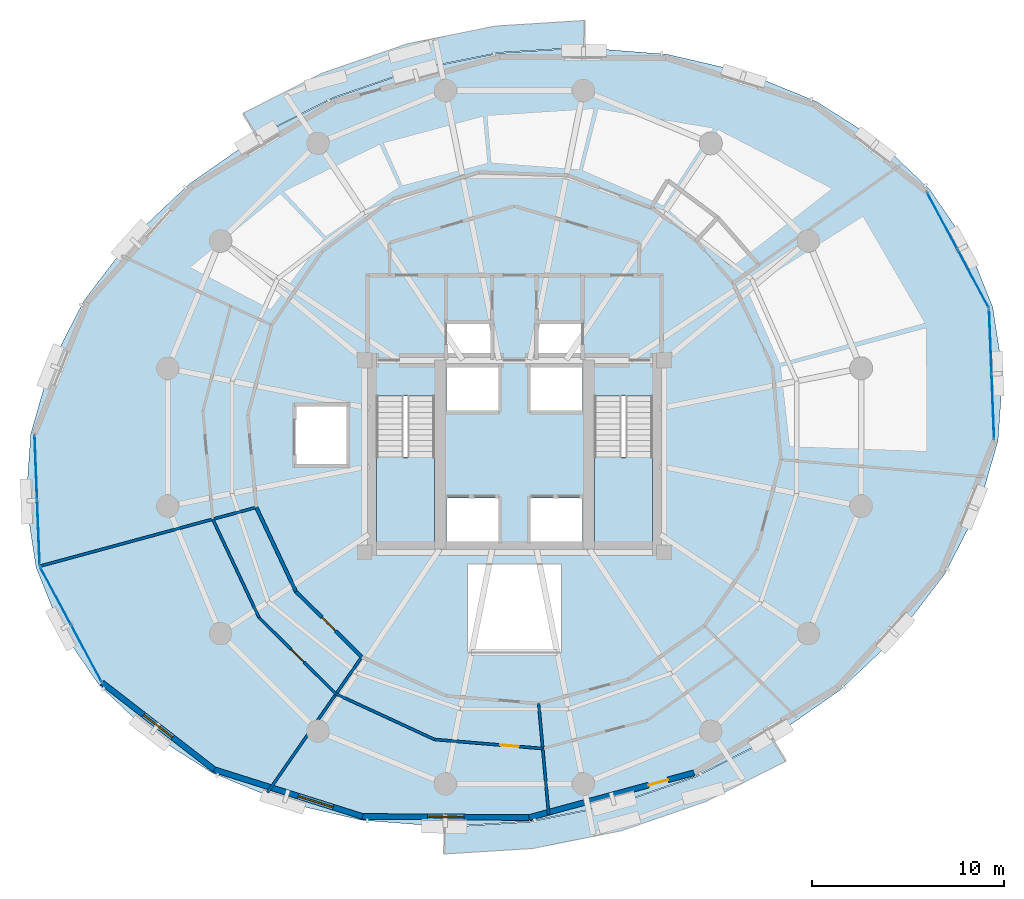
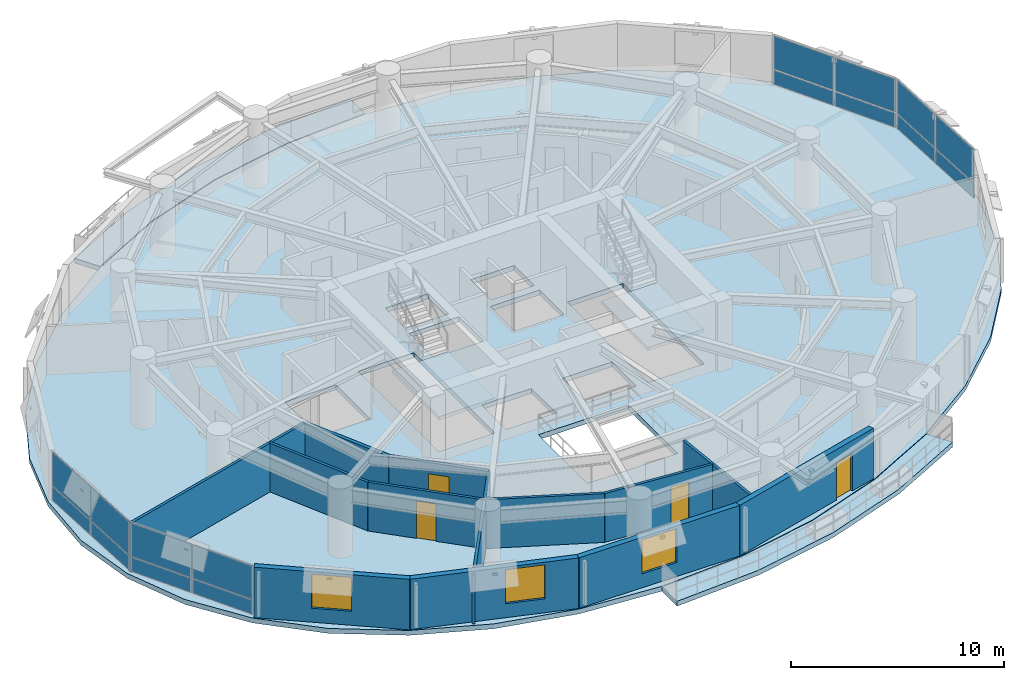
# One storey, part 9 of 15: 16 plates, 13 walls, 5 slabs, 4 doors, 3 windows, 7 openings, 6 elements without a shape of their own.
"""IFC4 building model written with IfcOpenShell, lengths in metres."""

from ifc_helpers import new_model, si_unit, direction, frame, frame_2d, origin, origin_2d, place, context, subcontext, project, spatial, polyline, rectangle, outline, extrude, material, layer, layer_set, type_object, element, fill, aggregate, save


model = new_model("IFC4")

# Units and contexts
model_context = context("Model", 3, precision=1e-05, world=origin(), true_north=direction((0.0, 1.0)))
body_context = subcontext(model_context, "Body", "Model", "MODEL_VIEW")
ifc_project = project(units=[si_unit("LENGTHUNIT", "METRE"), si_unit("AREAUNIT", "SQUARE_METRE"), si_unit("VOLUMEUNIT", "CUBIC_METRE"), si_unit("PLANEANGLEUNIT", "RADIAN"), si_unit("MASSUNIT", "GRAM", prefix="KILO"), si_unit("THERMODYNAMICTEMPERATUREUNIT", "KELVIN"), si_unit("POWERUNIT", "WATT")], contexts=[model_context])

# Site, building, storey
site_placement = place(None, origin())
site = spatial("IfcSite", under=ifc_project, at=site_placement, CompositionType="ELEMENT")
building_placement = place(site_placement, origin())
building = spatial("IfcBuilding", under=site, at=building_placement, Name="Ocrelia Relay Tower", CompositionType="ELEMENT")
storey_placement = place(building_placement, frame((0.0, 0.0, 97.800048828125)))
storey = spatial("IfcBuildingStorey", under=building, at=storey_placement, Name="L22", CompositionType="ELEMENT", Elevation=97.800048828125)

# Curtain wall, plates
ifc_material_1 = material(Name="Aluminium and solar-control low-E glass", Category="aluminium")
ifc_layer_1 = layer(ifc_material_1, 0.179931640625, Name="Aluminium and solar-control low-E glass")
ifc_layer_set_1 = layer_set([ifc_layer_1], Name="Aluminium and solar-control low-E glass")
curtain_wall_type = type_object("IfcCurtainWallType", Name="CW-SYS-Z2-SWIT", PredefinedType="NOTDEFINED", material=ifc_layer_set_1)
curtain_wall_1_placement = place(storey_placement, origin())
curtain_wall_1 = element("IfcCurtainWall", 1, at=curtain_wall_1_placement, inside=storey, type_object=curtain_wall_type, Name="L22 Elliptical Tower Curtain Wall Bay 01", PredefinedType="NOTDEFINED")
ifc_material_2 = material(Name="Clear double-glazed low-E glass", Category="glass")
ifc_layer_2 = layer(ifc_material_2, 0.031982421875, Name="Clear double-glazed low-E glass")
ifc_layer_set_2 = layer_set([ifc_layer_2], Name="Clear double-glazed low-E glass")
plate_type = type_object("IfcPlateType", Name="CW-SYS-Z2-SWIT-PNL", PredefinedType="CURTAIN_PANEL", material=ifc_layer_set_2)
plate_1_placement = place(storey_placement, frame((57.88427734375, 34.243408203125, 0.059814453125), z_axis=(0.0, 0.0, 1.0), x_axis=(-0.472070936584, 0.881560565607, 0.0)))
plate_1 = element("IfcPlate", 2, at=plate_1_placement, type_object=plate_type, Name="CW-Z2 panel 1.1", PredefinedType="CURTAIN_PANEL", context=body_context, shape_type="SweptSolid", body=[
    extrude(rectangle(XDim=3.33447265625, YDim=0.031982421875, at=origin_2d()), origin(), (0.0, 0.0, 1.0), 0.81005859375),
])
plate_2_placement = place(storey_placement, frame((57.88427734375, 34.243408203125, 0.93017578125), z_axis=(0.0, 0.0, 1.0), x_axis=(-0.472070936584, 0.881560565607, 0.0)))
plate_2 = element("IfcPlate", 3, at=plate_2_placement, type_object=plate_type, Name="CW-Z2 panel 1.2", PredefinedType="CURTAIN_PANEL", context=body_context, shape_type="SweptSolid", body=[
    extrude(rectangle(XDim=3.33447265625, YDim=0.031982421875, at=origin_2d()), origin(), (0.0, 0.0, 1.0), 1.909912109375),
])
plate_3_placement = place(storey_placement, frame((56.277099609375, 37.244873046875, 0.059814453125), z_axis=(0.0, 0.0, 1.0), x_axis=(-0.472070936584, 0.881560565607, 0.0)))
plate_3 = element("IfcPlate", 4, at=plate_3_placement, type_object=plate_type, Name="CW-Z2 panel 2.1", PredefinedType="CURTAIN_PANEL", context=body_context, shape_type="SweptSolid", body=[
    extrude(rectangle(XDim=3.33447265625, YDim=0.031982421875, at=origin_2d()), origin(), (0.0, 0.0, 1.0), 0.81005859375),
])
plate_4_placement = place(storey_placement, frame((56.277099609375, 37.244873046875, 0.93017578125), z_axis=(0.0, 0.0, 1.0), x_axis=(-0.472070936584, 0.881560565607, 0.0)))
plate_4 = element("IfcPlate", 5, at=plate_4_placement, type_object=plate_type, Name="CW-Z2 panel 2.2", PredefinedType="CURTAIN_PANEL", context=body_context, shape_type="SweptSolid", body=[
    extrude(rectangle(XDim=3.33447265625, YDim=0.031982421875, at=origin_2d()), origin(), (0.0, 0.0, 1.0), 1.909912109375),
])
aggregate(curtain_wall_1, [plate_1, plate_2, plate_3, plate_4])

curtain_wall_2_placement = place(storey_placement, origin())
curtain_wall_2 = element("IfcCurtainWall", 6, at=curtain_wall_2_placement, inside=storey, type_object=curtain_wall_type, Name="L22 Elliptical Tower Curtain Wall Bay 09", PredefinedType="NOTDEFINED")
plate_5_placement = place(storey_placement, frame((9.095458984375, 24.42578125, 0.059814453125), z_axis=(0.0, 0.0, 1.0), x_axis=(0.038929993842, -0.999241940463, 0.0)))
plate_5 = element("IfcPlate", 7, at=plate_5_placement, type_object=plate_type, Name="CW-Z2 panel 1.1", PredefinedType="CURTAIN_PANEL", context=body_context, shape_type="SweptSolid", body=[
    extrude(rectangle(XDim=3.33447265625, YDim=0.031982421875, at=origin_2d()), origin(), (0.0, 0.0, 1.0), 0.81005859375),
])
plate_6_placement = place(storey_placement, frame((9.095458984375, 24.42578125, 0.93017578125), z_axis=(0.0, 0.0, 1.0), x_axis=(0.038929993842, -0.999241940463, 0.0)))
plate_6 = element("IfcPlate", 8, at=plate_6_placement, type_object=plate_type, Name="CW-Z2 panel 1.2", PredefinedType="CURTAIN_PANEL", context=body_context, shape_type="SweptSolid", body=[
    extrude(rectangle(XDim=3.33447265625, YDim=0.031982421875, at=origin_2d()), origin(), (0.0, 0.0, 1.0), 1.909912109375),
])
plate_7_placement = place(storey_placement, frame((9.22802734375, 21.02392578125, 0.059814453125), z_axis=(0.0, 0.0, 1.0), x_axis=(0.038929993842, -0.999241940463, 0.0)))
plate_7 = element("IfcPlate", 9, at=plate_7_placement, type_object=plate_type, Name="CW-Z2 panel 2.1", PredefinedType="CURTAIN_PANEL", context=body_context, shape_type="SweptSolid", body=[
    extrude(rectangle(XDim=3.33447265625, YDim=0.031982421875, at=origin_2d()), origin(), (0.0, 0.0, 1.0), 0.81005859375),
])
plate_8_placement = place(storey_placement, frame((9.22802734375, 21.02392578125, 0.93017578125), z_axis=(0.0, 0.0, 1.0), x_axis=(0.038929993842, -0.999241940463, 0.0)))
plate_8 = element("IfcPlate", 10, at=plate_8_placement, type_object=plate_type, Name="CW-Z2 panel 2.2", PredefinedType="CURTAIN_PANEL", context=body_context, shape_type="SweptSolid", body=[
    extrude(rectangle(XDim=3.33447265625, YDim=0.031982421875, at=origin_2d()), origin(), (0.0, 0.0, 1.0), 1.909912109375),
])
aggregate(curtain_wall_2, [plate_5, plate_6, plate_7, plate_8])

curtain_wall_3_placement = place(storey_placement, origin())
curtain_wall_3 = element("IfcCurtainWall", 11, at=curtain_wall_3_placement, inside=storey, type_object=curtain_wall_type, Name="L22 Elliptical Tower Curtain Wall Bay 10", PredefinedType="NOTDEFINED")
plate_9_placement = place(storey_placement, frame((10.11572265625, 17.756591796875, 0.059814453125), z_axis=(0.0, 0.0, 1.0), x_axis=(0.472070936584, -0.881560565607, 0.0)))
plate_9 = element("IfcPlate", 12, at=plate_9_placement, type_object=plate_type, Name="CW-Z2 panel 1.1", PredefinedType="CURTAIN_PANEL", context=body_context, shape_type="SweptSolid", body=[
    extrude(rectangle(XDim=3.33447265625, YDim=0.031982421875, at=origin_2d()), origin(), (0.0, 0.0, 1.0), 0.81005859375),
])
plate_10_placement = place(storey_placement, frame((10.11572265625, 17.756591796875, 0.93017578125), z_axis=(0.0, 0.0, 1.0), x_axis=(0.472070936584, -0.881560565607, 0.0)))
plate_10 = element("IfcPlate", 13, at=plate_10_placement, type_object=plate_type, Name="CW-Z2 panel 1.2", PredefinedType="CURTAIN_PANEL", context=body_context, shape_type="SweptSolid", body=[
    extrude(rectangle(XDim=3.33447265625, YDim=0.031982421875, at=origin_2d()), origin(), (0.0, 0.0, 1.0), 1.909912109375),
])
plate_11_placement = place(storey_placement, frame((11.722900390625, 14.755126953125, 0.059814453125), z_axis=(0.0, 0.0, 1.0), x_axis=(0.472070936584, -0.881560565607, 0.0)))
plate_11 = element("IfcPlate", 14, at=plate_11_placement, type_object=plate_type, Name="CW-Z2 panel 2.1", PredefinedType="CURTAIN_PANEL", context=body_context, shape_type="SweptSolid", body=[
    extrude(rectangle(XDim=3.33447265625, YDim=0.031982421875, at=origin_2d()), origin(), (0.0, 0.0, 1.0), 0.81005859375),
])
plate_12_placement = place(storey_placement, frame((11.722900390625, 14.755126953125, 0.93017578125), z_axis=(0.0, 0.0, 1.0), x_axis=(0.472070936584, -0.881560565607, 0.0)))
plate_12 = element("IfcPlate", 15, at=plate_12_placement, type_object=plate_type, Name="CW-Z2 panel 2.2", PredefinedType="CURTAIN_PANEL", context=body_context, shape_type="SweptSolid", body=[
    extrude(rectangle(XDim=3.33447265625, YDim=0.031982421875, at=origin_2d()), origin(), (0.0, 0.0, 1.0), 1.909912109375),
])
aggregate(curtain_wall_3, [plate_9, plate_10, plate_11, plate_12])

curtain_wall_4_placement = place(storey_placement, origin())
curtain_wall_4 = element("IfcCurtainWall", 16, at=curtain_wall_4_placement, inside=storey, type_object=curtain_wall_type, Name="L22 Elliptical Tower Curtain Wall Bay 18", PredefinedType="NOTDEFINED")
plate_13_placement = place(storey_placement, frame((58.904541015625, 27.57421875, 0.059814453125), z_axis=(0.0, 0.0, 1.0), x_axis=(-0.038929993842, 0.999241940463, 0.0)))
plate_13 = element("IfcPlate", 17, at=plate_13_placement, type_object=plate_type, Name="CW-Z2 panel 1.1", PredefinedType="CURTAIN_PANEL", context=body_context, shape_type="SweptSolid", body=[
    extrude(rectangle(XDim=3.33447265625, YDim=0.031982421875, at=origin_2d()), origin(), (0.0, 0.0, 1.0), 0.81005859375),
])
plate_14_placement = place(storey_placement, frame((58.904541015625, 27.57421875, 0.93017578125), z_axis=(0.0, 0.0, 1.0), x_axis=(-0.038929993842, 0.999241940463, 0.0)))
plate_14 = element("IfcPlate", 18, at=plate_14_placement, type_object=plate_type, Name="CW-Z2 panel 1.2", PredefinedType="CURTAIN_PANEL", context=body_context, shape_type="SweptSolid", body=[
    extrude(rectangle(XDim=3.33447265625, YDim=0.031982421875, at=origin_2d()), origin(), (0.0, 0.0, 1.0), 1.909912109375),
])
plate_15_placement = place(storey_placement, frame((58.77197265625, 30.97607421875, 0.059814453125), z_axis=(0.0, 0.0, 1.0), x_axis=(-0.038929993842, 0.999241940463, 0.0)))
plate_15 = element("IfcPlate", 19, at=plate_15_placement, type_object=plate_type, Name="CW-Z2 panel 2.1", PredefinedType="CURTAIN_PANEL", context=body_context, shape_type="SweptSolid", body=[
    extrude(rectangle(XDim=3.33447265625, YDim=0.031982421875, at=origin_2d()), origin(), (0.0, 0.0, 1.0), 0.81005859375),
])
plate_16_placement = place(storey_placement, frame((58.77197265625, 30.97607421875, 0.93017578125), z_axis=(0.0, 0.0, 1.0), x_axis=(-0.038929993842, 0.999241940463, 0.0)))
plate_16 = element("IfcPlate", 20, at=plate_16_placement, type_object=plate_type, Name="CW-Z2 panel 2.2", PredefinedType="CURTAIN_PANEL", context=body_context, shape_type="SweptSolid", body=[
    extrude(rectangle(XDim=3.33447265625, YDim=0.031982421875, at=origin_2d()), origin(), (0.0, 0.0, 1.0), 1.909912109375),
])
aggregate(curtain_wall_4, [plate_13, plate_14, plate_15, plate_16])

# Slabs
ifc_material_3 = material(Name="Precast concrete C40/50", Category="concrete")
ifc_layer_3 = layer(ifc_material_3, 0.280029296875, Name="Precast concrete C40/50")
ifc_layer_set_3 = layer_set([ifc_layer_3], Name="Precast concrete C40/50")
slab_type_1 = type_object("IfcSlabType", Name="SL-BALC-280", PredefinedType="FLOOR", material=ifc_layer_set_3)
slab_1_placement = place(storey_placement, frame((0.0, 0.0, -0.280029296875)))
element("IfcSlab", 21, at=slab_1_placement, inside=storey, type_object=slab_type_1, Name="L22 Planted Loggia Balcony B1", PredefinedType="FLOOR", context=body_context, shape_type="SweptSolid", body=[
    extrude(outline(polyline([(37.637451171875, 46.298583984375), (35.422119140625, 46.16015625), (33.20703125, 46.021484375), (28.80078125, 45.13623046875), (24.552490234375, 43.670166015625), (22.571533203125, 42.668701171875), (20.5908203125, 41.667236328125), (19.876220703125, 42.863525390625), (21.94287109375, 43.908203125), (24.009521484375, 44.953125), (28.435546875, 46.480712890625), (33.02587890625, 47.40283203125), (35.337158203125, 47.547607421875), (37.6484375, 47.692138671875), (37.637451171875, 46.298583984375)])), origin(), (0.0, 0.0, 1.0), 0.280029296875),
])
slab_2_placement = place(storey_placement, frame((0.0, 0.0, -0.280029296875)))
element("IfcSlab", 22, at=slab_2_placement, inside=storey, type_object=slab_type_1, Name="L22 Planted Loggia Balcony B2", PredefinedType="FLOOR", context=body_context, shape_type="SweptSolid", body=[
    extrude(outline(polyline([(30.362548828125, 5.701416015625), (32.577880859375, 5.83984375), (34.79296875, 5.978515625), (39.19921875, 6.86376953125), (43.447509765625, 8.329833984375), (45.428466796875, 9.331298828125), (47.4091796875, 10.332763671875), (48.123779296875, 9.136474609375), (46.05712890625, 8.091552734375), (43.990478515625, 7.046875), (39.564453125, 5.519287109375), (34.97412109375, 4.59716796875), (32.662841796875, 4.452392578125), (30.3515625, 4.307861328125), (30.362548828125, 5.701416015625)])), origin(), (0.0, 0.0, 1.0), 0.280029296875),
])
ifc_material_4 = material(Name="Concrete C50/60", Category="concrete")
ifc_layer_4 = layer(ifc_material_4, 0.280029296875, Name="Concrete C50/60")
ifc_layer_set_4 = layer_set([ifc_layer_4], Name="Concrete C50/60")
slab_type_2 = type_object("IfcSlabType", Name="SL-FLR-280", PredefinedType="FLOOR", material=ifc_layer_set_4)
slab_3_placement = place(storey_placement, frame((0.0, 0.0, -0.280029296875)))
element("IfcSlab", 23, at=slab_3_placement, inside=storey, type_object=slab_type_2, Name="L22 Elliptical Tower Floor Slab", PredefinedType="FLOOR", context=body_context, shape_type="SweptSolid", body=[
    extrude(outline(polyline([(58.8974609375, 32.764404296875), (57.61767578125, 35.979736328125), (55.620361328125, 38.8916015625), (52.966064453125, 41.411865234375), (49.735595703125, 43.4638671875), (46.027099609375, 44.985107421875), (41.952880859375, 45.9296875), (37.63720703125, 46.2685546875), (33.2109375, 45.99169921875), (28.80859375, 45.107421875), (24.564208984375, 43.642333984375), (20.606201171875, 41.641357421875), (17.055419921875, 39.165283203125), (14.019287109375, 36.288818359375), (11.590576171875, 33.10009765625), (9.842529296875, 29.695556640625), (8.82861328125, 26.1787109375), (8.579345703125, 22.65625), (9.1025390625, 19.235595703125), (10.38232421875, 16.020263671875), (12.379638671875, 13.1083984375), (15.033935546875, 10.588134765625), (18.264404296875, 8.5361328125), (21.972900390625, 7.014892578125), (26.047119140625, 6.0703125), (30.36279296875, 5.7314453125), (34.7890625, 6.00830078125), (39.19140625, 6.892578125), (43.435791015625, 8.357666015625), (47.393798828125, 10.358642578125), (50.944580078125, 12.834716796875), (53.980712890625, 15.711181640625), (56.409423828125, 18.89990234375), (58.157470703125, 22.304443359375), (59.17138671875, 25.8212890625), (59.420654296875, 29.34375), (58.8974609375, 32.764404296875)]), holes=[polyline([(26.81005859375, 28.14990234375), (26.81005859375, 20.550048828125), (29.85009765625, 20.550048828125), (29.85009765625, 28.14990234375), (26.81005859375, 28.14990234375)]), polyline([(38.159912109375, 28.14990234375), (38.159912109375, 20.550048828125), (41.199951171875, 20.550048828125), (41.199951171875, 28.14990234375), (38.159912109375, 28.14990234375)]), polyline([(30.4599609375, 20.550048828125), (33.159912109375, 20.550048828125), (33.159912109375, 22.85009765625), (30.4599609375, 22.85009765625), (30.4599609375, 20.550048828125)]), polyline([(34.840087890625, 20.550048828125), (37.5400390625, 20.550048828125), (37.5400390625, 22.85009765625), (34.840087890625, 22.85009765625), (34.840087890625, 20.550048828125)]), polyline([(30.4599609375, 27.35009765625), (33.159912109375, 27.35009765625), (33.159912109375, 29.64990234375), (30.4599609375, 29.64990234375), (30.4599609375, 27.35009765625)]), polyline([(34.840087890625, 27.35009765625), (37.5400390625, 27.35009765625), (37.5400390625, 29.64990234375), (34.840087890625, 29.64990234375), (34.840087890625, 27.35009765625)]), polyline([(30.5, 30.10009765625), (32.85009765625, 30.10009765625), (32.85009765625, 32.0), (30.5, 32.0), (30.5, 30.10009765625)]), polyline([(35.14990234375, 30.10009765625), (37.5, 30.10009765625), (37.5, 32.0), (35.14990234375, 32.0), (35.14990234375, 30.10009765625)]), polyline([(22.550048828125, 24.5), (25.35009765625, 24.5), (25.35009765625, 27.699951171875), (22.550048828125, 27.699951171875), (22.550048828125, 24.5)]), polyline([(31.550048828125, 14.800048828125), (36.449951171875, 14.800048828125), (36.449951171875, 19.39990234375), (31.550048828125, 19.39990234375), (31.550048828125, 14.800048828125)])]), origin(), (0.0, 0.0, 1.0), 0.280029296875),
])

# Stair, slab
stair_type = type_object("IfcStairType", Name="ST-DL-1420-R167", PredefinedType="HALF_TURN_STAIR", material=ifc_material_4)
stair_1_placement = place(storey_placement, origin())
stair_1 = element("IfcStair", 24, at=stair_1_placement, inside=storey, type_object=stair_type, Name="L22 West Core Exit Stair ST1", PredefinedType="HALF_TURN_STAIR")
ifc_layer_5 = layer(ifc_material_4, 0.199951171875, Name="Concrete C50/60")
ifc_layer_set_5 = layer_set([ifc_layer_5], Name="Concrete C50/60")
slab_type_3 = type_object("IfcSlabType", Name="SL-LANDING-200", PredefinedType="LANDING", material=ifc_layer_set_5)
slab_4_placement = place(storey_placement, frame((0.0, 0.0, 1.800048828125)))
slab_4 = element("IfcSlab", 25, at=slab_4_placement, type_object=slab_type_3, Name="ST1 landing 1", PredefinedType="LANDING", context=body_context, shape_type="SweptSolid", body=[
    extrude(outline(polyline([(26.81005859375, 24.9599609375), (26.81005859375, 20.550048828125), (29.85009765625, 20.550048828125), (29.85009765625, 24.9599609375), (26.81005859375, 24.9599609375)])), origin(), (0.0, 0.0, 1.0), 0.199951171875),
])
aggregate(stair_1, [slab_4])

stair_2_placement = place(storey_placement, origin())
stair_2 = element("IfcStair", 26, at=stair_2_placement, inside=storey, type_object=stair_type, Name="L22 East Core Exit Stair ST2", PredefinedType="HALF_TURN_STAIR")
slab_5_placement = place(storey_placement, frame((0.0, 0.0, 1.800048828125)))
slab_5 = element("IfcSlab", 27, at=slab_5_placement, type_object=slab_type_3, Name="ST2 landing 1", PredefinedType="LANDING", context=body_context, shape_type="SweptSolid", body=[
    extrude(outline(polyline([(38.159912109375, 24.9599609375), (38.159912109375, 20.550048828125), (41.199951171875, 20.550048828125), (41.199951171875, 24.9599609375), (38.159912109375, 24.9599609375)])), origin(), (0.0, 0.0, 1.0), 0.199951171875),
])
aggregate(stair_2, [slab_5])

# Wall
ifc_material_5 = material(Name="Gypsum Fireboard Partition EI60", Category="gypsum")
ifc_layer_6 = layer(ifc_material_5, 0.179931640625, Name="Gypsum Fireboard Partition EI60")
ifc_layer_set_6 = layer_set([ifc_layer_6], Name="Gypsum Fireboard Partition EI60")
wall_type_1 = type_object("IfcWallType", Name="W-CORR-EI60-180", PredefinedType="PARTITIONING", material=ifc_layer_set_6)
wall_1_placement = place(storey_placement, frame((20.56689453125, 22.350341796875, 0.0), z_axis=(0.0, 0.0, 1.0), x_axis=(0.425775147607, -0.904829002453, 0.0)))
element("IfcWall", 28, at=wall_1_placement, inside=storey, type_object=wall_type_1, Name="L22 Optical Routing Office B Corridor Partition 1", PredefinedType="PARTITIONING", context=body_context, shape_type="SweptSolid", body=[
    extrude(rectangle(XDim=4.83447265625, YDim=0.179931640625, at=frame_2d((2.417236328125, 0.0))), origin(), (0.0, 0.0, 1.0), 2.800048828125),
])

# Wall, opening, door
wall_2_placement = place(storey_placement, frame((22.625244140625, 17.97607421875, 0.0), z_axis=(0.0, 0.0, 1.0), x_axis=(0.709576956514, -0.704627946355, 0.0)))
wall_2 = element("IfcWall", 29, at=wall_2_placement, inside=storey, type_object=wall_type_1, Name="L22 Optical Routing Office B Corridor Partition 2", PredefinedType="PARTITIONING", context=body_context, shape_type="SweptSolid", body=[
    extrude(rectangle(XDim=4.83447265625, YDim=0.179931640625, at=frame_2d((2.417236328125, 0.0))), origin(), (0.0, 0.0, 1.0), 2.800048828125),
])
opening_1_placement = place(wall_2_placement, frame((1.917236328125, 0.0, 0.0)))
opening_1 = element("IfcOpeningElement", 30, at=opening_1_placement, cuts=wall_2, Name="Opening D-RM100", PredefinedType="OPENING", context=body_context, shape_type="SweptSolid", body=[
    extrude(rectangle(XDim=1.0, YDim=2.14990234375, at=frame_2d((0.5, 1.074951171875))), frame((0.0, 0.10009765625, 0.0), z_axis=(0.0, -1.0, 0.0), x_axis=(1.0, 0.0, 0.0)), (0.0, 0.0, 1.0), 0.199951171875),
])
ifc_material_6 = material(Name="Acoustic oak veneer fire door", Category="wood")
door_type_1 = type_object("IfcDoorType", Name="DR-ROOM-FD60-1000", OperationType="NOTDEFINED", PredefinedType="DOOR", material=ifc_material_6)
door_1_placement = place(opening_1_placement, origin())
door_1 = element("IfcDoor", 31, at=door_1_placement, inside=storey, type_object=door_type_1, Name="L22 Optical Routing Office B Entrance Door", OperationType="SINGLE_SWING_LEFT", OverallHeight=2.14990234375, OverallWidth=1.0, PredefinedType="DOOR", context=body_context, shape_type="SweptSolid", body=[
    extrude(rectangle(XDim=1.0, YDim=2.14990234375, at=frame_2d((0.5, 1.074951171875))), frame((0.0, 0.02490234375, 0.0), z_axis=(0.0, -1.0, 0.0), x_axis=(1.0, 0.0, 0.0)), (0.0, 0.0, 1.0), 0.050048828125),
])
fill(opening_1, door_1)

# Wall, opening, window
ifc_material_7 = material(Name="Precast concrete C40/50 with oxide terracotta", Category="masonry")
ifc_layer_7 = layer(ifc_material_7, 0.300048828125, Name="Precast concrete C40/50 with oxide terracotta")
ifc_layer_set_7 = layer_set([ifc_layer_7], Name="Precast concrete C40/50 with oxide terracotta")
wall_type_2 = type_object("IfcWallType", Name="W-EXT-TERR-300", PredefinedType="SOLIDWALL", material=ifc_layer_set_7)
wall_3_placement = place(storey_placement, frame((12.54296875, 13.2236328125, 0.0), z_axis=(0.0, 0.0, 1.0), x_axis=(0.79036781861, -0.61263260712, 0.0)))
wall_3 = element("IfcWall", 32, at=wall_3_placement, inside=storey, type_object=wall_type_2, Name="L22 Oxide Terracotta Facade Wall 11", PredefinedType="SOLIDWALL", context=body_context, shape_type="SweptSolid", body=[
    extrude(rectangle(XDim=7.38330078125, YDim=0.300048828125, at=frame_2d((3.691650390625, 0.0))), origin(), (0.0, 0.0, 1.0), 2.89990234375),
])
opening_2_placement = place(wall_3_placement, frame((2.741943359375, 0.0, 0.800048828125)))
opening_2 = element("IfcOpeningElement", 33, at=opening_2_placement, cuts=wall_3, Name="Opening W-06", PredefinedType="OPENING", context=body_context, shape_type="SweptSolid", body=[
    extrude(rectangle(XDim=1.89990234375, YDim=1.949951171875, at=frame_2d((0.949951171875, 0.97509765625))), frame((0.0, 0.16015625, 0.0), z_axis=(0.0, -1.0, 0.0), x_axis=(1.0, 0.0, 0.0)), (0.0, 0.0, 1.0), 0.320068359375),
])
window_type = type_object("IfcWindowType", Name="WIN-Z2-1900x2100", PartitioningType="DOUBLE_PANEL_VERTICAL", PredefinedType="WINDOW", material=ifc_material_2)
window_1_placement = place(opening_2_placement, origin())
window_1 = element("IfcWindow", 34, at=window_1_placement, inside=storey, type_object=window_type, Name="L22 Facade Module Window 11", OverallHeight=1.949951171875, OverallWidth=1.89990234375, PartitioningType="SINGLE_PANEL", PredefinedType="WINDOW", context=body_context, shape_type="SweptSolid", body=[
    extrude(rectangle(XDim=1.89990234375, YDim=1.949951171875, at=frame_2d((0.949951171875, 0.97509765625))), frame((0.0, 0.030029296875, 0.0), z_axis=(0.0, -1.0, 0.0), x_axis=(1.0, 0.0, 0.0)), (0.0, 0.0, 1.0), 0.06005859375),
])
fill(opening_2, window_1)

wall_4_placement = place(storey_placement, frame((18.37841796875, 8.700439453125, 0.0), z_axis=(0.0, 0.0, 1.0), x_axis=(0.953619577743, -0.30101445305, 0.0)))
wall_4 = element("IfcWall", 35, at=wall_4_placement, inside=storey, type_object=wall_type_2, Name="L22 Oxide Terracotta Facade Wall 12", PredefinedType="SOLIDWALL", context=body_context, shape_type="SweptSolid", body=[
    extrude(rectangle(XDim=8.09521484375, YDim=0.300048828125, at=frame_2d((4.047607421875, 0.0))), origin(), (0.0, 0.0, 1.0), 2.89990234375),
])
opening_3_placement = place(wall_4_placement, frame((4.580078125, 0.0, 0.800048828125)))
opening_3 = element("IfcOpeningElement", 36, at=opening_3_placement, cuts=wall_4, Name="Opening W-06", PredefinedType="OPENING", context=body_context, shape_type="SweptSolid", body=[
    extrude(rectangle(XDim=1.89990234375, YDim=1.949951171875, at=frame_2d((0.949951171875, 0.97509765625))), frame((0.0, 0.16015625, 0.0), z_axis=(0.0, -1.0, 0.0), x_axis=(1.0, 0.0, 0.0)), (0.0, 0.0, 1.0), 0.320068359375),
])
window_2_placement = place(opening_3_placement, origin())
window_2 = element("IfcWindow", 37, at=window_2_placement, inside=storey, type_object=window_type, Name="L22 Facade Module Window 12", OverallHeight=1.949951171875, OverallWidth=1.89990234375, PartitioningType="SINGLE_PANEL", PredefinedType="WINDOW", context=body_context, shape_type="SweptSolid", body=[
    extrude(rectangle(XDim=1.89990234375, YDim=1.949951171875, at=frame_2d((0.949951171875, 0.97509765625))), frame((0.0, 0.030029296875, 0.0), z_axis=(0.0, -1.0, 0.0), x_axis=(1.0, 0.0, 0.0)), (0.0, 0.0, 1.0), 0.06005859375),
])
fill(opening_3, window_2)

wall_5_placement = place(storey_placement, frame((26.09814453125, 6.263671875, 0.0), z_axis=(0.0, 0.0, 1.0), x_axis=(0.999979041109, -0.006474360417, 0.0)))
wall_5 = element("IfcWall", 38, at=wall_5_placement, inside=storey, type_object=wall_type_2, Name="L22 Oxide Terracotta Facade Wall 13", PredefinedType="SOLIDWALL", context=body_context, shape_type="SweptSolid", body=[
    extrude(rectangle(XDim=8.673095703125, YDim=0.300048828125, at=frame_2d((4.33642578125, 0.0))), origin(), (0.0, 0.0, 1.0), 2.89990234375),
])
opening_4_placement = place(wall_5_placement, frame((3.385986328125, 0.0, 0.800048828125)))
opening_4 = element("IfcOpeningElement", 39, at=opening_4_placement, cuts=wall_5, Name="Opening W-06", PredefinedType="OPENING", context=body_context, shape_type="SweptSolid", body=[
    extrude(rectangle(XDim=1.89990234375, YDim=1.949951171875, at=frame_2d((0.949951171875, 0.97509765625))), frame((0.0, 0.16015625, 0.0), z_axis=(0.0, -1.0, 0.0), x_axis=(1.0, 0.0, 0.0)), (0.0, 0.0, 1.0), 0.320068359375),
])
window_3_placement = place(opening_4_placement, origin())
window_3 = element("IfcWindow", 40, at=window_3_placement, inside=storey, type_object=window_type, Name="L22 Facade Module Window 13", OverallHeight=1.949951171875, OverallWidth=1.89990234375, PartitioningType="SINGLE_PANEL", PredefinedType="WINDOW", context=body_context, shape_type="SweptSolid", body=[
    extrude(rectangle(XDim=1.89990234375, YDim=1.949951171875, at=frame_2d((0.949951171875, 0.97509765625))), frame((0.0, 0.030029296875, 0.0), z_axis=(0.0, -1.0, 0.0), x_axis=(1.0, 0.0, 0.0)), (0.0, 0.0, 1.0), 0.06005859375),
])
fill(opening_4, window_3)

# Wall, opening, door
wall_6_placement = place(storey_placement, frame((34.77099609375, 6.20751953125, 0.0), z_axis=(0.0, 0.0, 1.0), x_axis=(0.965015591798, 0.26219250101, 0.0)))
wall_6 = element("IfcWall", 41, at=wall_6_placement, inside=storey, type_object=wall_type_2, Name="L22 Oxide Terracotta Facade Wall 14", PredefinedType="SOLIDWALL", context=body_context, shape_type="SweptSolid", body=[
    extrude(rectangle(XDim=8.890625, YDim=0.300048828125, at=frame_2d((4.4453125, 0.0))), origin(), (0.0, 0.0, 1.0), 2.89990234375),
])
opening_5_placement = place(wall_6_placement, frame((6.429931640625, 0.0, 0.0)))
opening_5 = element("IfcOpeningElement", 42, at=opening_5_placement, cuts=wall_6, Name="Opening DB-105", PredefinedType="OPENING", context=body_context, shape_type="SweptSolid", body=[
    extrude(rectangle(XDim=1.050048828125, YDim=2.14990234375, at=frame_2d((0.52490234375, 1.074951171875))), frame((0.0, 0.16015625, 0.0), z_axis=(0.0, -1.0, 0.0), x_axis=(1.0, 0.0, 0.0)), (0.0, 0.0, 1.0), 0.320068359375),
])
ifc_material_8 = material(Name="Thermally broken aluminium and clear glass", Category="aluminium")
door_type_2 = type_object("IfcDoorType", Name="DR-BALC-1050", OperationType="NOTDEFINED", PredefinedType="DOOR", material=ifc_material_8)
door_2_placement = place(opening_5_placement, origin())
door_2 = element("IfcDoor", 43, at=door_2_placement, inside=storey, type_object=door_type_2, Name="L22 Planted Loggia Balcony Door B2", OperationType="SINGLE_SWING_LEFT", OverallHeight=2.14990234375, OverallWidth=1.050048828125, PredefinedType="DOOR", context=body_context, shape_type="SweptSolid", body=[
    extrude(rectangle(XDim=1.050048828125, YDim=2.14990234375, at=frame_2d((0.52490234375, 1.074951171875))), frame((0.0, 0.02490234375, 0.0), z_axis=(0.0, -1.0, 0.0), x_axis=(1.0, 0.0, 0.0)), (0.0, 0.0, 1.0), 0.050048828125),
])
fill(opening_5, door_2)

# Walls
ifc_material_9 = material(Name="Acoustic Fireboard Partition EI60", Category="gypsum")
ifc_layer_8 = layer(ifc_material_9, 0.139892578125, Name="Acoustic Fireboard Partition EI60")
ifc_layer_set_8 = layer_set([ifc_layer_8], Name="Acoustic Fireboard Partition EI60")
wall_type_3 = type_object("IfcWallType", Name="W-PART-140", PredefinedType="PARTITIONING", material=ifc_layer_set_8)
wall_7_placement = place(storey_placement, frame((20.56689453125, 22.350341796875, 0.0), z_axis=(0.0, 0.0, 1.0), x_axis=(-0.965018061435, -0.262183411194, 0.0)))
element("IfcWall", 44, at=wall_7_placement, inside=storey, type_object=wall_type_3, Name="L22 Network Engineering Office A Radial Partition", PredefinedType="PARTITIONING", context=body_context, shape_type="SweptSolid", body=[
    extrude(rectangle(XDim=11.679931640625, YDim=0.139892578125, at=frame_2d((5.83984375, 0.0))), origin(), (0.0, 0.0, 1.0), 2.800048828125),
])
wall_8_placement = place(storey_placement, frame((26.0556640625, 14.569580078125, 0.0), z_axis=(0.0, 0.0, 1.0), x_axis=(-0.570709473436, -0.821152054695, 0.0)))
element("IfcWall", 45, at=wall_8_placement, inside=storey, type_object=wall_type_3, Name="L22 Optical Routing Office B Radial Partition", PredefinedType="PARTITIONING", context=body_context, shape_type="SweptSolid", body=[
    extrude(rectangle(XDim=8.60498046875, YDim=0.139892578125, at=frame_2d((4.302490234375, 0.0))), origin(), (0.0, 0.0, 1.0), 2.800048828125),
])
wall_9_placement = place(storey_placement, frame((18.29931640625, 21.734130859375, 0.0), z_axis=(0.0, 0.0, 1.0), x_axis=(0.425759581932, -0.904836326853, 0.0)))
element("IfcWall", 46, at=wall_9_placement, inside=storey, type_object=wall_type_3, Name="L22 Perimeter Optical Routing Office B Mid-Ring Partition 1", PredefinedType="PARTITIONING", context=body_context, shape_type="SweptSolid", body=[
    extrude(rectangle(XDim=5.650634765625, YDim=0.139892578125, at=frame_2d((2.8251953125, 0.0))), origin(), (0.0, 0.0, 1.0), 2.800048828125),
])

# Wall, opening, door
wall_10_placement = place(storey_placement, frame((20.705078125, 16.621337890625, 0.0), z_axis=(0.0, 0.0, 1.0), x_axis=(0.709586813131, -0.70461802037, 0.0)))
wall_10 = element("IfcWall", 47, at=wall_10_placement, inside=storey, type_object=wall_type_3, Name="L22 Perimeter Optical Routing Office B Mid-Ring Partition 2", PredefinedType="PARTITIONING", context=body_context, shape_type="SweptSolid", body=[
    extrude(rectangle(XDim=5.650390625, YDim=0.139892578125, at=frame_2d((2.8251953125, 0.0))), origin(), (0.0, 0.0, 1.0), 2.800048828125),
])
opening_6_placement = place(wall_10_placement, frame((2.35009765625, 0.0, 0.0)))
opening_6 = element("IfcOpeningElement", 48, at=opening_6_placement, cuts=wall_10, Name="Opening D-RM95", PredefinedType="OPENING", context=body_context, shape_type="SweptSolid", body=[
    extrude(rectangle(XDim=0.949951171875, YDim=2.14990234375, at=frame_2d((0.47509765625, 1.074951171875))), frame((0.0, 0.080078125, 0.0), z_axis=(0.0, -1.0, 0.0), x_axis=(1.0, 0.0, 0.0)), (0.0, 0.0, 1.0), 0.159912109375),
])
door_type_3 = type_object("IfcDoorType", Name="DR-ROOM-950", OperationType="NOTDEFINED", PredefinedType="DOOR", material=ifc_material_6)
door_3_placement = place(opening_6_placement, origin())
door_3 = element("IfcDoor", 49, at=door_3_placement, inside=storey, type_object=door_type_3, Name="L22 Perimeter Optical Routing Office B Connecting Door", OperationType="SINGLE_SWING_RIGHT", OverallHeight=2.14990234375, OverallWidth=0.949951171875, PredefinedType="DOOR", context=body_context, shape_type="SweptSolid", body=[
    extrude(rectangle(XDim=0.949951171875, YDim=2.14990234375, at=frame_2d((0.47509765625, 1.074951171875))), frame((0.0, 0.02490234375, 0.0), z_axis=(0.0, -1.0, 0.0), x_axis=(1.0, 0.0, 0.0)), (0.0, 0.0, 1.0), 0.050048828125),
])
fill(opening_6, door_3)

# Walls
wall_11_placement = place(storey_placement, frame((35.26171875, 12.13720703125, 0.0), z_axis=(0.0, 0.0, 1.0), x_axis=(0.090615399913, -0.995885961995, 0.0)))
element("IfcWall", 50, at=wall_11_placement, inside=storey, type_object=wall_type_3, Name="L22 Peering Systems Office C Radial Partition", PredefinedType="PARTITIONING", context=body_context, shape_type="SweptSolid", body=[
    extrude(rectangle(XDim=5.803466796875, YDim=0.139892578125, at=frame_2d((2.90185546875, 0.0))), origin(), (0.0, 0.0, 1.0), 2.800048828125),
])
wall_12_placement = place(storey_placement, frame((24.714599609375, 12.639892578125, 0.0), z_axis=(0.0, 0.0, 1.0), x_axis=(0.907777197452, -0.41945269076, 0.0)))
element("IfcWall", 51, at=wall_12_placement, inside=storey, type_object=wall_type_3, Name="L22 Perimeter Peering Systems Office C Mid-Ring Partition 1", PredefinedType="PARTITIONING", context=body_context, shape_type="SweptSolid", body=[
    extrude(rectangle(XDim=5.650390625, YDim=0.139892578125, at=frame_2d((2.8251953125, 0.0))), origin(), (0.0, 0.0, 1.0), 2.800048828125),
])

# Wall, opening, door
wall_13_placement = place(storey_placement, frame((29.843994140625, 10.269775390625, 0.0), z_axis=(0.0, 0.0, 1.0), x_axis=(0.996495215898, -0.083649774009, 0.0)))
wall_13 = element("IfcWall", 52, at=wall_13_placement, inside=storey, type_object=wall_type_3, Name="L22 Perimeter Peering Systems Office C Mid-Ring Partition 2", PredefinedType="PARTITIONING", context=body_context, shape_type="SweptSolid", body=[
    extrude(rectangle(XDim=5.650390625, YDim=0.139892578125, at=frame_2d((2.8251953125, 0.0))), origin(), (0.0, 0.0, 1.0), 2.800048828125),
])
opening_7_placement = place(wall_13_placement, frame((3.435302734375, 0.0, 0.0)))
opening_7 = element("IfcOpeningElement", 53, at=opening_7_placement, cuts=wall_13, Name="Opening D-RM95", PredefinedType="OPENING", context=body_context, shape_type="SweptSolid", body=[
    extrude(rectangle(XDim=0.949951171875, YDim=2.14990234375, at=frame_2d((0.47509765625, 1.074951171875))), frame((0.0, 0.080078125, 0.0), z_axis=(0.0, -1.0, 0.0), x_axis=(1.0, 0.0, 0.0)), (0.0, 0.0, 1.0), 0.159912109375),
])
door_4_placement = place(opening_7_placement, origin())
door_4 = element("IfcDoor", 54, at=door_4_placement, inside=storey, type_object=door_type_3, Name="L22 Perimeter Peering Systems Office C Connecting Door", OperationType="SINGLE_SWING_RIGHT", OverallHeight=2.14990234375, OverallWidth=0.949951171875, PredefinedType="DOOR", context=body_context, shape_type="SweptSolid", body=[
    extrude(rectangle(XDim=0.949951171875, YDim=2.14990234375, at=frame_2d((0.47509765625, 1.074951171875))), frame((0.0, 0.02490234375, 0.0), z_axis=(0.0, -1.0, 0.0), x_axis=(1.0, 0.0, 0.0)), (0.0, 0.0, 1.0), 0.050048828125),
])
fill(opening_7, door_4)

save(model, "model.ifc")
